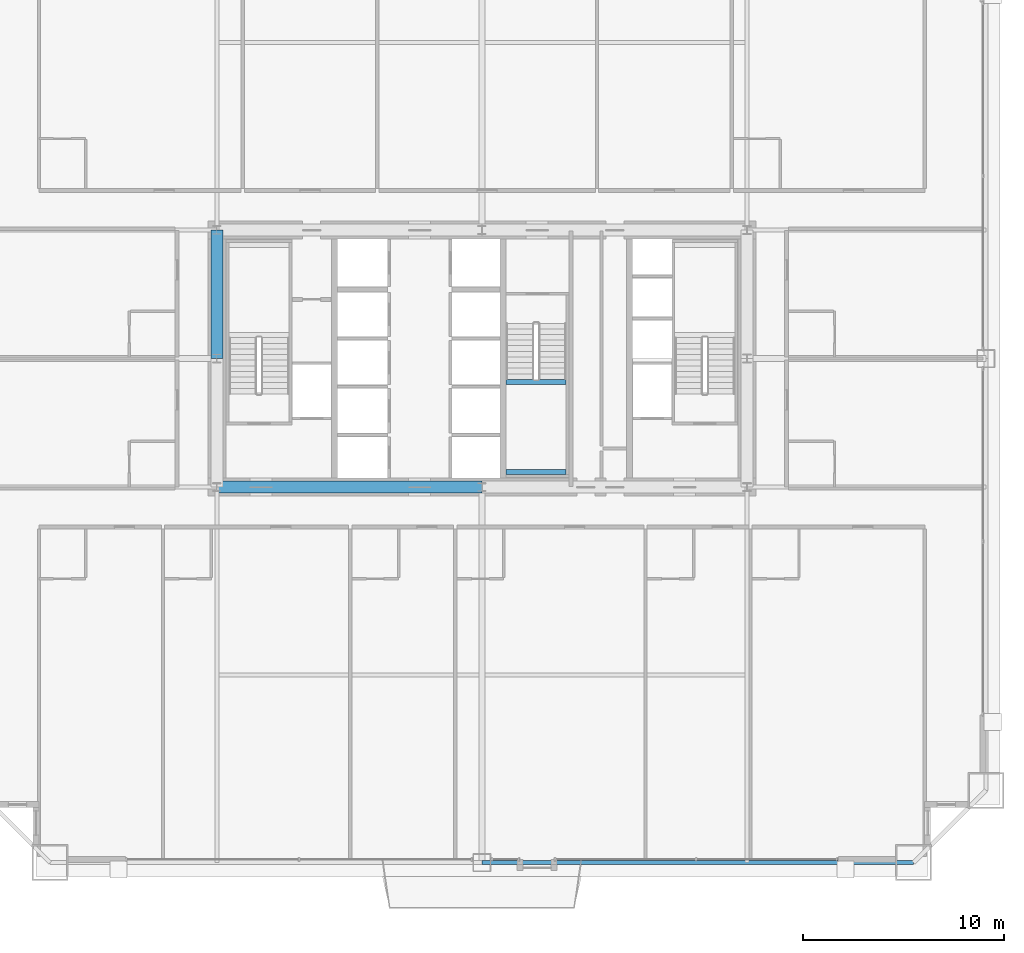
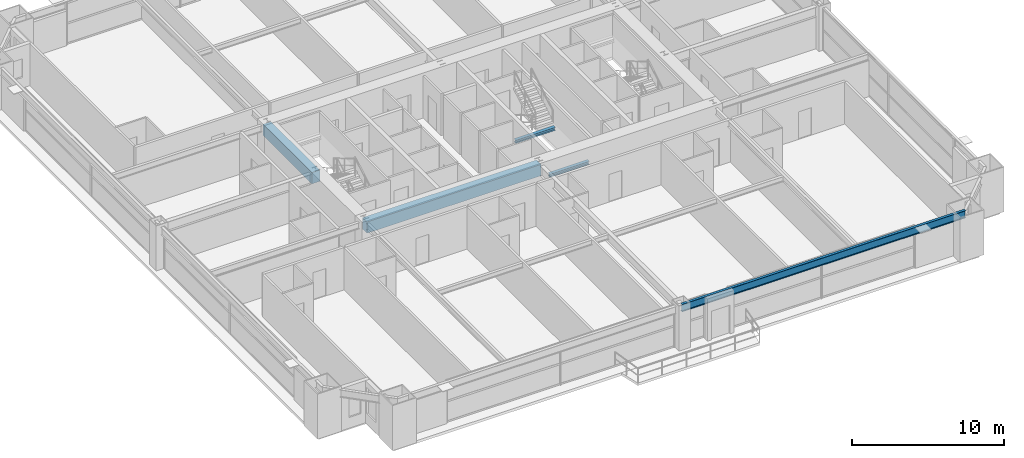
# One storey, part 14 of 43: 5 beams.
"""IFC4 building model written with IfcOpenShell, lengths in metres."""

from ifc_helpers import new_model, si_unit, direction, frame, origin, origin_2d, place, context, subcontext, project, spatial, rectangle, i_section, extrude, source, transform, mapped, material, material_profile, profile_set, type_object, element, save


model = new_model("IFC4")

# Units and contexts
model_context = context("Model", 3, precision=1e-05, world=origin(), true_north=direction((0.0, 1.0)))
body_context = subcontext(model_context, "Body", "Model", "MODEL_VIEW")
ifc_project = project(units=[si_unit("LENGTHUNIT", "METRE"), si_unit("AREAUNIT", "SQUARE_METRE"), si_unit("VOLUMEUNIT", "CUBIC_METRE"), si_unit("PLANEANGLEUNIT", "RADIAN"), si_unit("MASSUNIT", "GRAM", prefix="KILO"), si_unit("THERMODYNAMICTEMPERATUREUNIT", "KELVIN"), si_unit("POWERUNIT", "WATT")], contexts=[model_context])

# Site, building, storey
site_placement = place(None, origin())
site = spatial("IfcSite", under=ifc_project, at=site_placement, CompositionType="ELEMENT")
building_placement = place(site_placement, origin())
building = spatial("IfcBuilding", under=site, at=building_placement, Name="Yuzanri Waterfront Tower", CompositionType="ELEMENT")
storey_placement = place(building_placement, frame((0.0, 0.0, 64.0)))
storey = spatial("IfcBuildingStorey", under=building, at=storey_placement, Name="L16", CompositionType="ELEMENT", Elevation=64.0)

# Beams
ifc_material_1 = material(Name="Concrete C60", Category="concrete")
ifc_material_profile_1 = material_profile(ifc_material_1, rectangle(XDim=0.60009765625, YDim=0.89990234375, at=origin_2d()), Name="RC 600x900")
ifc_profile_set_1 = profile_set([ifc_material_profile_1], Name="Concrete C60")
beam_type_1 = type_object("IfcBeamType", Name="Core Coupling Lintel Concrete C60 600x900", PredefinedType="LINTEL", material=ifc_profile_set_1)
shared_shape_1 = source(origin(), body_context, "Body", "SweptSolid", [
    extrude(rectangle(XDim=0.60009765625, YDim=0.89990234375, at=origin_2d()), origin(), (0.0, 0.0, 1.0), 13.199951171875),
])
beam_1_placement = place(storey_placement, frame((23.800048828125, 19.39990234375, 2.929931640625), z_axis=(1.0, 0.0, 0.0), x_axis=(0.0, 1.0, 0.0)))
element("IfcBeam", 1, at=beam_1_placement, inside=storey, type_object=beam_type_1, Name="L16 Core Tie Beam CS1", PredefinedType="LINTEL", context=body_context, shape_type="MappedRepresentation", body=[
    mapped(shared_shape_1, transform((0.0, 0.0, 0.0), scale=1.0)),
])
shared_shape_2 = source(origin(), body_context, "Body", "SweptSolid", [
    extrude(rectangle(XDim=0.60009765625, YDim=0.89990234375, at=origin_2d()), origin(), (0.0, 0.0, 1.0), 6.39990234375),
])
beam_2_placement = place(storey_placement, frame((23.800048828125, 25.800048828125, 2.929931640625), z_axis=(0.0, 1.0, 0.0), x_axis=(-1.0, 0.0, 0.0)))
element("IfcBeam", 2, at=beam_2_placement, inside=storey, type_object=beam_type_1, Name="L16 Core Tie Beam CW2", PredefinedType="LINTEL", context=body_context, shape_type="MappedRepresentation", body=[
    mapped(shared_shape_2, transform((0.0, 0.0, 0.0), scale=1.0)),
])
ifc_material_2 = material(Name="Steel Q355B", Category="steel")
ifc_material_profile_2 = material_profile(ifc_material_2, i_section(OverallWidth=0.199951171875, OverallDepth=0.60009765625, WebThickness=0.010986328125, FlangeThickness=0.01708984375, at=origin_2d()), Name="HN 600x200x11x17")
ifc_profile_set_2 = profile_set([ifc_material_profile_2], Name="Steel Q355B")
beam_type_2 = type_object("IfcBeamType", Name="Perimeter Spandrel Q355B HN 600x200", PredefinedType="SPANDREL", material=ifc_profile_set_2)
shared_shape_3 = source(origin(), body_context, "Body", "SweptSolid", [
    extrude(i_section(OverallWidth=0.199951171875, OverallDepth=0.60009765625, WebThickness=0.010986328125, FlangeThickness=0.01708984375, at=origin_2d()), origin(), (0.0, 0.0, 1.0), 21.5),
])
beam_3_placement = place(storey_placement, frame((37.0, 0.699951171875, 3.080078125), z_axis=(1.0, 0.0, 0.0), x_axis=(0.0, 1.0, 0.0)))
element("IfcBeam", 3, at=beam_3_placement, inside=storey, type_object=beam_type_2, Name="L16 Perimeter Spandrel S2-S3", PredefinedType="SPANDREL", context=body_context, shape_type="MappedRepresentation", body=[
    mapped(shared_shape_3, transform((0.0, 0.0, 0.0), scale=1.0)),
])
ifc_material_3 = material(Name="Steel Q355B", Category="steel")
ifc_material_profile_3 = material_profile(ifc_material_3, i_section(OverallWidth=0.25, OverallDepth=0.25, WebThickness=0.009033203125, FlangeThickness=0.013916015625, at=origin_2d()), Name="HW 250x250x9x14")
ifc_profile_set_3 = profile_set([ifc_material_profile_3], Name="Steel Q355B")
beam_type_3 = type_object("IfcBeamType", Name="Stair Landing Support Beam Q355B HW 250x250", PredefinedType="BEAM", material=ifc_profile_set_3)
shared_shape_4 = source(origin(), body_context, "Body", "SweptSolid", [
    extrude(i_section(OverallWidth=0.25, OverallDepth=0.25, WebThickness=0.009033203125, FlangeThickness=0.013916015625, at=origin_2d()), origin(), (0.0, 0.0, 1.0), 3.0),
])
for number, where, z_axis, x_axis, name in (
    (4, (38.199951171875, 20.14990234375, 1.47509765625), (1.0, 0.0, 0.0), (0.0, 1.0, 0.0), "L16 Stair Landing Support Beam ST-03-L16-L1-1"),
    (5, (38.199951171875, 24.6298828125, 1.47509765625), (1.0, 0.0, 0.0), (0.0, 1.0, 0.0), "L16 Stair Landing Support Beam ST-03-L16-L1-2"),
):
    element("IfcBeam", number, at=place(storey_placement, frame(where, z_axis=z_axis, x_axis=x_axis)), inside=storey, type_object=beam_type_3, Name=name, PredefinedType="BEAM", context=body_context, shape_type="MappedRepresentation", body=[
        mapped(shared_shape_4, transform((0.0, 0.0, 0.0), scale=1.0)),
    ])

save(model, "model.ifc")
